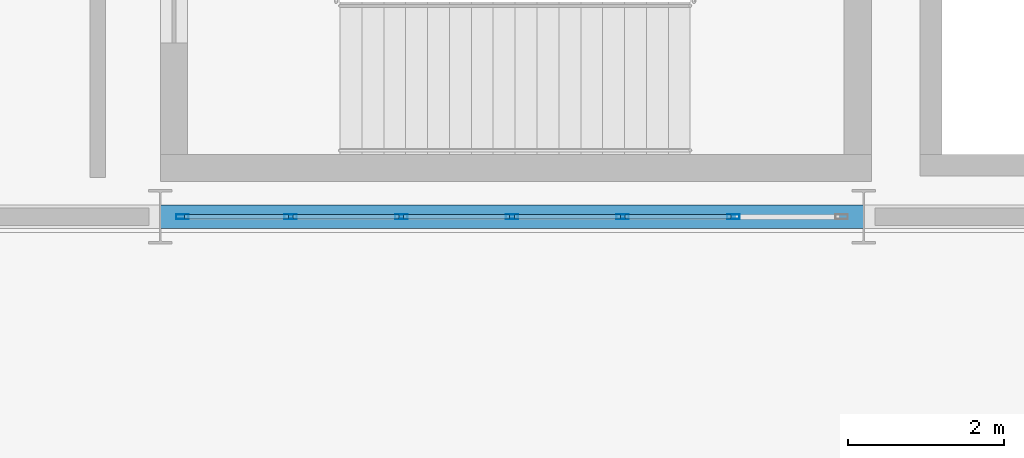
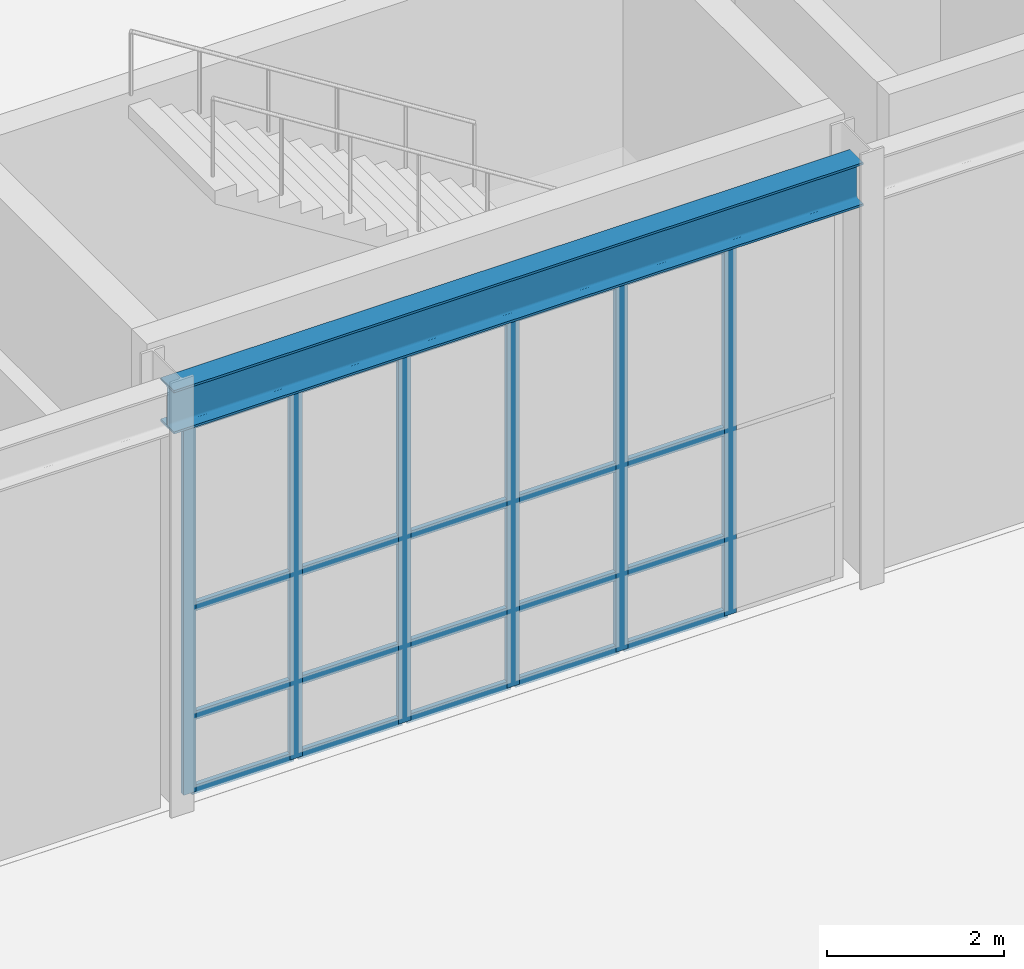
# One storey, part 58 of 146: 26 members, 1 beam, 1 element without a shape of its own.
"""IFC4 building model written with IfcOpenShell, lengths in metres."""

from ifc_helpers import new_model, si_unit, direction, frame, origin, origin_2d, place, context, subcontext, project, spatial, hollow_rectangle, i_section, extrude, material, material_profile, profile_set, type_object, element, aggregate, save


model = new_model("IFC4")

# Units and contexts
model_context = context("Model", 3, precision=1e-05, world=origin(), true_north=direction((0.0, 1.0)))
body_context = subcontext(model_context, "Body", "Model", "MODEL_VIEW")
ifc_project = project(units=[si_unit("LENGTHUNIT", "METRE"), si_unit("AREAUNIT", "SQUARE_METRE"), si_unit("VOLUMEUNIT", "CUBIC_METRE"), si_unit("PLANEANGLEUNIT", "RADIAN"), si_unit("MASSUNIT", "GRAM", prefix="KILO")], contexts=[model_context])

# Site, building, storey
site_placement = place(None, origin())
site = spatial("IfcSite", under=ifc_project, at=site_placement, CompositionType="ELEMENT")
building_placement = place(site_placement, origin())
building = spatial("IfcBuilding", under=site, at=building_placement, Name="Kaldris Quays Convention Centre", CompositionType="ELEMENT")
storey_placement = place(building_placement, origin())
storey = spatial("IfcBuildingStorey", under=building, at=storey_placement, Name="L00", CompositionType="ELEMENT", Elevation=0.0)

# Curtain wall, members
ifc_material_1 = material(Name="Anodized aluminium AW-6060 and triple glazing", Category="aluminium")
curtain_wall_type = type_object("IfcCurtainWallType", Name="UNITISED CURTAIN WALL CW04", PredefinedType="NOTDEFINED", material=ifc_material_1)
curtain_wall_placement = place(storey_placement, origin())
curtain_wall = element("IfcCurtainWall", 1, at=curtain_wall_placement, inside=storey, type_object=curtain_wall_type, Name="L00 Unitised Curtain Wall CW04 104", PredefinedType="NOTDEFINED")
ifc_material_2 = material(Name="Anodized aluminium AW-6060", Category="aluminium")
ifc_material_profile_1 = material_profile(ifc_material_2, hollow_rectangle(XDim=0.06005859375, YDim=0.159912109375, WallThickness=0.00390625, at=origin_2d()), Name="RHS 160x60x4")
ifc_profile_set_1 = profile_set([ifc_material_profile_1], Name="Anodized aluminium AW-6060")
member_type_1 = type_object("IfcMemberType", Name="CURTAIN MULLION CWM1", PredefinedType="MULLION", material=ifc_profile_set_1)
member_1_placement = place(storey_placement, frame((92.280029296875, 38.0, 0.0), z_axis=(0.0, 0.0, 1.0), x_axis=(0.0, 1.0, 0.0)))
member_1 = element("IfcMember", 2, at=member_1_placement, type_object=member_type_1, Name="CW04 mullion 1", PredefinedType="MULLION", context=body_context, shape_type="SweptSolid", body=[
    extrude(hollow_rectangle(XDim=0.06005859375, YDim=0.159912109375, WallThickness=0.00390625, at=origin_2d()), origin(), (0.0, 0.0, 1.0), 5.097900390625),
])
member_2_placement = place(storey_placement, frame((93.666748046875, 38.0, 0.0), z_axis=(0.0, 0.0, 1.0), x_axis=(0.0, 1.0, 0.0)))
member_2 = element("IfcMember", 3, at=member_2_placement, type_object=member_type_1, Name="CW04 mullion 2", PredefinedType="MULLION", context=body_context, shape_type="SweptSolid", body=[
    extrude(hollow_rectangle(XDim=0.06005859375, YDim=0.159912109375, WallThickness=0.00390625, at=origin_2d()), origin(), (0.0, 0.0, 1.0), 5.097900390625),
])
member_3_placement = place(storey_placement, frame((95.083251953125, 38.0, 0.0), z_axis=(0.0, 0.0, 1.0), x_axis=(0.0, 1.0, 0.0)))
member_3 = element("IfcMember", 4, at=member_3_placement, type_object=member_type_1, Name="CW04 mullion 3", PredefinedType="MULLION", context=body_context, shape_type="SweptSolid", body=[
    extrude(hollow_rectangle(XDim=0.06005859375, YDim=0.159912109375, WallThickness=0.00390625, at=origin_2d()), origin(), (0.0, 0.0, 1.0), 5.097900390625),
])
member_4_placement = place(storey_placement, frame((96.5, 38.0, 0.0), z_axis=(0.0, 0.0, 1.0), x_axis=(0.0, 1.0, 0.0)))
member_4 = element("IfcMember", 5, at=member_4_placement, type_object=member_type_1, Name="CW04 mullion 4", PredefinedType="MULLION", context=body_context, shape_type="SweptSolid", body=[
    extrude(hollow_rectangle(XDim=0.06005859375, YDim=0.159912109375, WallThickness=0.00390625, at=origin_2d()), origin(), (0.0, 0.0, 1.0), 5.097900390625),
])
member_5_placement = place(storey_placement, frame((97.916748046875, 38.0, 0.0), z_axis=(0.0, 0.0, 1.0), x_axis=(0.0, 1.0, 0.0)))
member_5 = element("IfcMember", 6, at=member_5_placement, type_object=member_type_1, Name="CW04 mullion 5", PredefinedType="MULLION", context=body_context, shape_type="SweptSolid", body=[
    extrude(hollow_rectangle(XDim=0.06005859375, YDim=0.159912109375, WallThickness=0.00390625, at=origin_2d()), origin(), (0.0, 0.0, 1.0), 5.097900390625),
])
member_6_placement = place(storey_placement, frame((99.333251953125, 38.0, 0.0), z_axis=(0.0, 0.0, 1.0), x_axis=(0.0, 1.0, 0.0)))
member_6 = element("IfcMember", 7, at=member_6_placement, type_object=member_type_1, Name="CW04 mullion 6", PredefinedType="MULLION", context=body_context, shape_type="SweptSolid", body=[
    extrude(hollow_rectangle(XDim=0.06005859375, YDim=0.159912109375, WallThickness=0.00390625, at=origin_2d()), origin(), (0.0, 0.0, 1.0), 5.097900390625),
])
ifc_material_profile_2 = material_profile(ifc_material_2, hollow_rectangle(XDim=0.06005859375, YDim=0.1201171875, WallThickness=0.00390625, at=origin_2d()), Name="RHS 120x60x4")
ifc_profile_set_2 = profile_set([ifc_material_profile_2], Name="Anodized aluminium AW-6060")
member_type_2 = type_object("IfcMemberType", Name="CURTAIN TRANSOM CWT1", PredefinedType="USERDEFINED", material=ifc_profile_set_2)
member_7_placement = place(storey_placement, frame((92.31005859375, 38.0, 0.030029296875), z_axis=(1.0, 0.0, 0.0), x_axis=(0.0, 1.0, 0.0)))
member_7 = element("IfcMember", 8, at=member_7_placement, type_object=member_type_2, Name="CW04 transom 1.1", ObjectType="TRANSOM", PredefinedType="USERDEFINED", context=body_context, shape_type="SweptSolid", body=[
    extrude(hollow_rectangle(XDim=0.06005859375, YDim=0.1201171875, WallThickness=0.00390625, at=origin_2d()), origin(), (0.0, 0.0, 1.0), 1.32666015625),
])
member_8_placement = place(storey_placement, frame((92.31005859375, 38.0, 1.050048828125), z_axis=(1.0, 0.0, 0.0), x_axis=(0.0, 1.0, 0.0)))
member_8 = element("IfcMember", 9, at=member_8_placement, type_object=member_type_2, Name="CW04 transom 1.2", ObjectType="TRANSOM", PredefinedType="USERDEFINED", context=body_context, shape_type="SweptSolid", body=[
    extrude(hollow_rectangle(XDim=0.06005859375, YDim=0.1201171875, WallThickness=0.00390625, at=origin_2d()), origin(), (0.0, 0.0, 1.0), 1.32666015625),
])
member_9_placement = place(storey_placement, frame((92.31005859375, 38.0, 2.549072265625), z_axis=(1.0, 0.0, 0.0), x_axis=(0.0, 1.0, 0.0)))
member_9 = element("IfcMember", 10, at=member_9_placement, type_object=member_type_2, Name="CW04 transom 1.3", ObjectType="TRANSOM", PredefinedType="USERDEFINED", context=body_context, shape_type="SweptSolid", body=[
    extrude(hollow_rectangle(XDim=0.06005859375, YDim=0.1201171875, WallThickness=0.00390625, at=origin_2d()), origin(), (0.0, 0.0, 1.0), 1.32666015625),
])
member_10_placement = place(storey_placement, frame((92.31005859375, 38.0, 5.068115234375), z_axis=(1.0, 0.0, 0.0), x_axis=(0.0, 1.0, 0.0)))
member_10 = element("IfcMember", 11, at=member_10_placement, type_object=member_type_2, Name="CW04 transom 1.4", ObjectType="TRANSOM", PredefinedType="USERDEFINED", context=body_context, shape_type="SweptSolid", body=[
    extrude(hollow_rectangle(XDim=0.06005859375, YDim=0.1201171875, WallThickness=0.00390625, at=origin_2d()), origin(), (0.0, 0.0, 1.0), 1.32666015625),
])
member_11_placement = place(storey_placement, frame((93.69677734375, 38.0, 0.030029296875), z_axis=(1.0, 0.0, 0.0), x_axis=(0.0, 1.0, 0.0)))
member_11 = element("IfcMember", 12, at=member_11_placement, type_object=member_type_2, Name="CW04 transom 2.1", ObjectType="TRANSOM", PredefinedType="USERDEFINED", context=body_context, shape_type="SweptSolid", body=[
    extrude(hollow_rectangle(XDim=0.06005859375, YDim=0.1201171875, WallThickness=0.00390625, at=origin_2d()), origin(), (0.0, 0.0, 1.0), 1.3564453125),
])
member_12_placement = place(storey_placement, frame((93.69677734375, 38.0, 1.050048828125), z_axis=(1.0, 0.0, 0.0), x_axis=(0.0, 1.0, 0.0)))
member_12 = element("IfcMember", 13, at=member_12_placement, type_object=member_type_2, Name="CW04 transom 2.2", ObjectType="TRANSOM", PredefinedType="USERDEFINED", context=body_context, shape_type="SweptSolid", body=[
    extrude(hollow_rectangle(XDim=0.06005859375, YDim=0.1201171875, WallThickness=0.00390625, at=origin_2d()), origin(), (0.0, 0.0, 1.0), 1.3564453125),
])
member_13_placement = place(storey_placement, frame((93.69677734375, 38.0, 2.549072265625), z_axis=(1.0, 0.0, 0.0), x_axis=(0.0, 1.0, 0.0)))
member_13 = element("IfcMember", 14, at=member_13_placement, type_object=member_type_2, Name="CW04 transom 2.3", ObjectType="TRANSOM", PredefinedType="USERDEFINED", context=body_context, shape_type="SweptSolid", body=[
    extrude(hollow_rectangle(XDim=0.06005859375, YDim=0.1201171875, WallThickness=0.00390625, at=origin_2d()), origin(), (0.0, 0.0, 1.0), 1.3564453125),
])
member_14_placement = place(storey_placement, frame((93.69677734375, 38.0, 5.068115234375), z_axis=(1.0, 0.0, 0.0), x_axis=(0.0, 1.0, 0.0)))
member_14 = element("IfcMember", 15, at=member_14_placement, type_object=member_type_2, Name="CW04 transom 2.4", ObjectType="TRANSOM", PredefinedType="USERDEFINED", context=body_context, shape_type="SweptSolid", body=[
    extrude(hollow_rectangle(XDim=0.06005859375, YDim=0.1201171875, WallThickness=0.00390625, at=origin_2d()), origin(), (0.0, 0.0, 1.0), 1.3564453125),
])
member_15_placement = place(storey_placement, frame((95.11328125, 38.0, 0.030029296875), z_axis=(1.0, 0.0, 0.0), x_axis=(0.0, 1.0, 0.0)))
member_15 = element("IfcMember", 16, at=member_15_placement, type_object=member_type_2, Name="CW04 transom 3.1", ObjectType="TRANSOM", PredefinedType="USERDEFINED", context=body_context, shape_type="SweptSolid", body=[
    extrude(hollow_rectangle(XDim=0.06005859375, YDim=0.1201171875, WallThickness=0.00390625, at=origin_2d()), origin(), (0.0, 0.0, 1.0), 1.356689453125),
])
member_16_placement = place(storey_placement, frame((95.11328125, 38.0, 1.050048828125), z_axis=(1.0, 0.0, 0.0), x_axis=(0.0, 1.0, 0.0)))
member_16 = element("IfcMember", 17, at=member_16_placement, type_object=member_type_2, Name="CW04 transom 3.2", ObjectType="TRANSOM", PredefinedType="USERDEFINED", context=body_context, shape_type="SweptSolid", body=[
    extrude(hollow_rectangle(XDim=0.06005859375, YDim=0.1201171875, WallThickness=0.00390625, at=origin_2d()), origin(), (0.0, 0.0, 1.0), 1.356689453125),
])
member_17_placement = place(storey_placement, frame((95.11328125, 38.0, 2.549072265625), z_axis=(1.0, 0.0, 0.0), x_axis=(0.0, 1.0, 0.0)))
member_17 = element("IfcMember", 18, at=member_17_placement, type_object=member_type_2, Name="CW04 transom 3.3", ObjectType="TRANSOM", PredefinedType="USERDEFINED", context=body_context, shape_type="SweptSolid", body=[
    extrude(hollow_rectangle(XDim=0.06005859375, YDim=0.1201171875, WallThickness=0.00390625, at=origin_2d()), origin(), (0.0, 0.0, 1.0), 1.356689453125),
])
member_18_placement = place(storey_placement, frame((95.11328125, 38.0, 5.068115234375), z_axis=(1.0, 0.0, 0.0), x_axis=(0.0, 1.0, 0.0)))
member_18 = element("IfcMember", 19, at=member_18_placement, type_object=member_type_2, Name="CW04 transom 3.4", ObjectType="TRANSOM", PredefinedType="USERDEFINED", context=body_context, shape_type="SweptSolid", body=[
    extrude(hollow_rectangle(XDim=0.06005859375, YDim=0.1201171875, WallThickness=0.00390625, at=origin_2d()), origin(), (0.0, 0.0, 1.0), 1.356689453125),
])
member_19_placement = place(storey_placement, frame((96.530029296875, 38.0, 0.030029296875), z_axis=(1.0, 0.0, 0.0), x_axis=(0.0, 1.0, 0.0)))
member_19 = element("IfcMember", 20, at=member_19_placement, type_object=member_type_2, Name="CW04 transom 4.1", ObjectType="TRANSOM", PredefinedType="USERDEFINED", context=body_context, shape_type="SweptSolid", body=[
    extrude(hollow_rectangle(XDim=0.06005859375, YDim=0.1201171875, WallThickness=0.00390625, at=origin_2d()), origin(), (0.0, 0.0, 1.0), 1.356689453125),
])
member_20_placement = place(storey_placement, frame((96.530029296875, 38.0, 1.050048828125), z_axis=(1.0, 0.0, 0.0), x_axis=(0.0, 1.0, 0.0)))
member_20 = element("IfcMember", 21, at=member_20_placement, type_object=member_type_2, Name="CW04 transom 4.2", ObjectType="TRANSOM", PredefinedType="USERDEFINED", context=body_context, shape_type="SweptSolid", body=[
    extrude(hollow_rectangle(XDim=0.06005859375, YDim=0.1201171875, WallThickness=0.00390625, at=origin_2d()), origin(), (0.0, 0.0, 1.0), 1.356689453125),
])
member_21_placement = place(storey_placement, frame((96.530029296875, 38.0, 2.549072265625), z_axis=(1.0, 0.0, 0.0), x_axis=(0.0, 1.0, 0.0)))
member_21 = element("IfcMember", 22, at=member_21_placement, type_object=member_type_2, Name="CW04 transom 4.3", ObjectType="TRANSOM", PredefinedType="USERDEFINED", context=body_context, shape_type="SweptSolid", body=[
    extrude(hollow_rectangle(XDim=0.06005859375, YDim=0.1201171875, WallThickness=0.00390625, at=origin_2d()), origin(), (0.0, 0.0, 1.0), 1.356689453125),
])
member_22_placement = place(storey_placement, frame((96.530029296875, 38.0, 5.068115234375), z_axis=(1.0, 0.0, 0.0), x_axis=(0.0, 1.0, 0.0)))
member_22 = element("IfcMember", 23, at=member_22_placement, type_object=member_type_2, Name="CW04 transom 4.4", ObjectType="TRANSOM", PredefinedType="USERDEFINED", context=body_context, shape_type="SweptSolid", body=[
    extrude(hollow_rectangle(XDim=0.06005859375, YDim=0.1201171875, WallThickness=0.00390625, at=origin_2d()), origin(), (0.0, 0.0, 1.0), 1.356689453125),
])
member_23_placement = place(storey_placement, frame((97.94677734375, 38.0, 0.030029296875), z_axis=(1.0, 0.0, 0.0), x_axis=(0.0, 1.0, 0.0)))
member_23 = element("IfcMember", 24, at=member_23_placement, type_object=member_type_2, Name="CW04 transom 5.1", ObjectType="TRANSOM", PredefinedType="USERDEFINED", context=body_context, shape_type="SweptSolid", body=[
    extrude(hollow_rectangle(XDim=0.06005859375, YDim=0.1201171875, WallThickness=0.00390625, at=origin_2d()), origin(), (0.0, 0.0, 1.0), 1.3564453125),
])
member_24_placement = place(storey_placement, frame((97.94677734375, 38.0, 1.050048828125), z_axis=(1.0, 0.0, 0.0), x_axis=(0.0, 1.0, 0.0)))
member_24 = element("IfcMember", 25, at=member_24_placement, type_object=member_type_2, Name="CW04 transom 5.2", ObjectType="TRANSOM", PredefinedType="USERDEFINED", context=body_context, shape_type="SweptSolid", body=[
    extrude(hollow_rectangle(XDim=0.06005859375, YDim=0.1201171875, WallThickness=0.00390625, at=origin_2d()), origin(), (0.0, 0.0, 1.0), 1.3564453125),
])
member_25_placement = place(storey_placement, frame((97.94677734375, 38.0, 2.549072265625), z_axis=(1.0, 0.0, 0.0), x_axis=(0.0, 1.0, 0.0)))
member_25 = element("IfcMember", 26, at=member_25_placement, type_object=member_type_2, Name="CW04 transom 5.3", ObjectType="TRANSOM", PredefinedType="USERDEFINED", context=body_context, shape_type="SweptSolid", body=[
    extrude(hollow_rectangle(XDim=0.06005859375, YDim=0.1201171875, WallThickness=0.00390625, at=origin_2d()), origin(), (0.0, 0.0, 1.0), 1.3564453125),
])
member_26_placement = place(storey_placement, frame((97.94677734375, 38.0, 5.068115234375), z_axis=(1.0, 0.0, 0.0), x_axis=(0.0, 1.0, 0.0)))
member_26 = element("IfcMember", 27, at=member_26_placement, type_object=member_type_2, Name="CW04 transom 5.4", ObjectType="TRANSOM", PredefinedType="USERDEFINED", context=body_context, shape_type="SweptSolid", body=[
    extrude(hollow_rectangle(XDim=0.06005859375, YDim=0.1201171875, WallThickness=0.00390625, at=origin_2d()), origin(), (0.0, 0.0, 1.0), 1.3564453125),
])
aggregate(curtain_wall, [member_1, member_2, member_3, member_4, member_5, member_6, member_7, member_8, member_9, member_10, member_11, member_12, member_13, member_14, member_15, member_16, member_17, member_18, member_19, member_20, member_21, member_22, member_23, member_24, member_25, member_26])

# Beam
ifc_material_3 = material(Name="Steel S355J2", Category="steel")
ifc_material_profile_3 = material_profile(ifc_material_3, i_section(OverallWidth=0.300048828125, OverallDepth=0.60009765625, WebThickness=0.015380859375, FlangeThickness=0.030029296875, FilletRadius=0.027099609375, at=origin_2d()), Name="HEB 600")
ifc_profile_set_3 = profile_set([ifc_material_profile_3], Name="Steel S355J2")
beam_type = type_object("IfcBeamType", Name="STRUCTURAL BEAM BM05", PredefinedType="BEAM", material=ifc_profile_set_3)
beam_placement = place(storey_placement, frame((92.00244140625, 38.0, 5.423095703125), z_axis=(1.0, 0.0, 0.0), x_axis=(0.0, 1.0, 0.0)))
element("IfcBeam", 28, at=beam_placement, inside=storey, type_object=beam_type, Name="L00 Girder BM05 2", PredefinedType="BEAM", context=body_context, shape_type="SweptSolid", body=[
    extrude(i_section(OverallWidth=0.300048828125, OverallDepth=0.60009765625, WebThickness=0.015380859375, FlangeThickness=0.030029296875, FilletRadius=0.027099609375, at=origin_2d()), origin(), (0.0, 0.0, 1.0), 8.9951171875),
])

save(model, "model.ifc")
